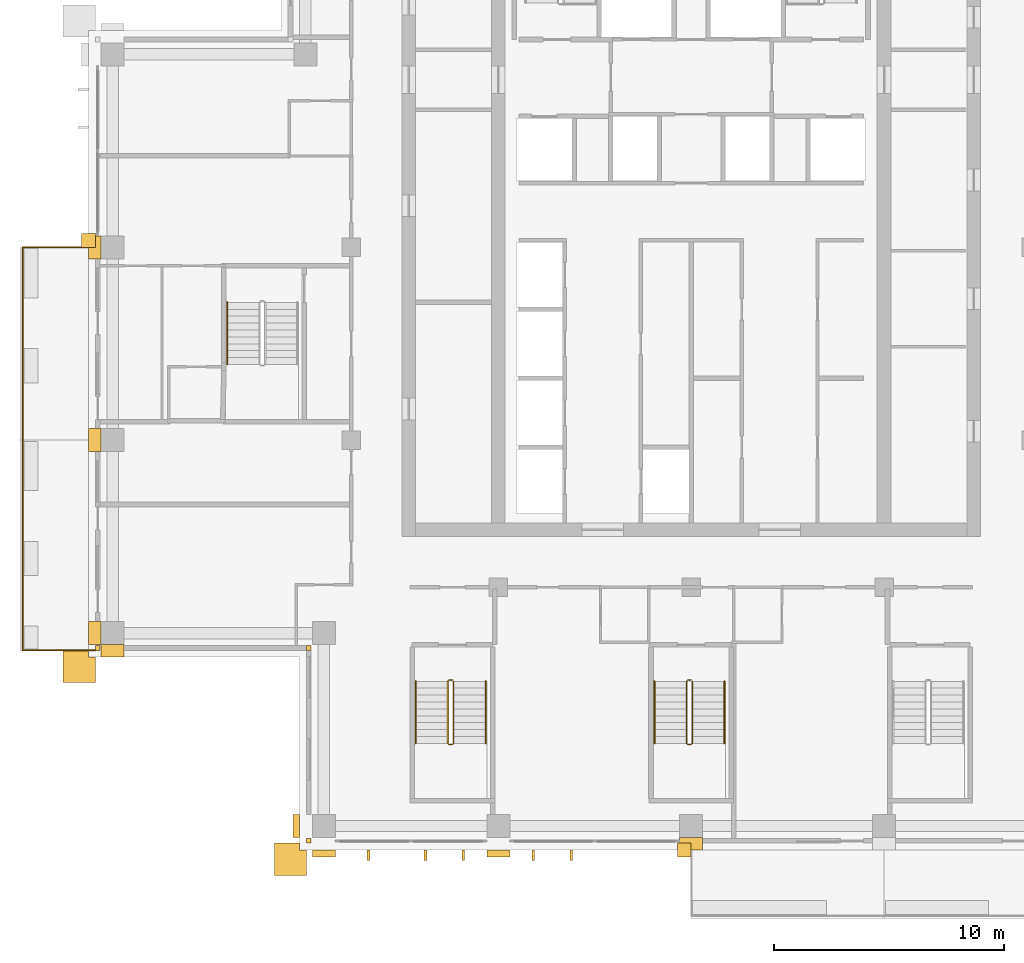
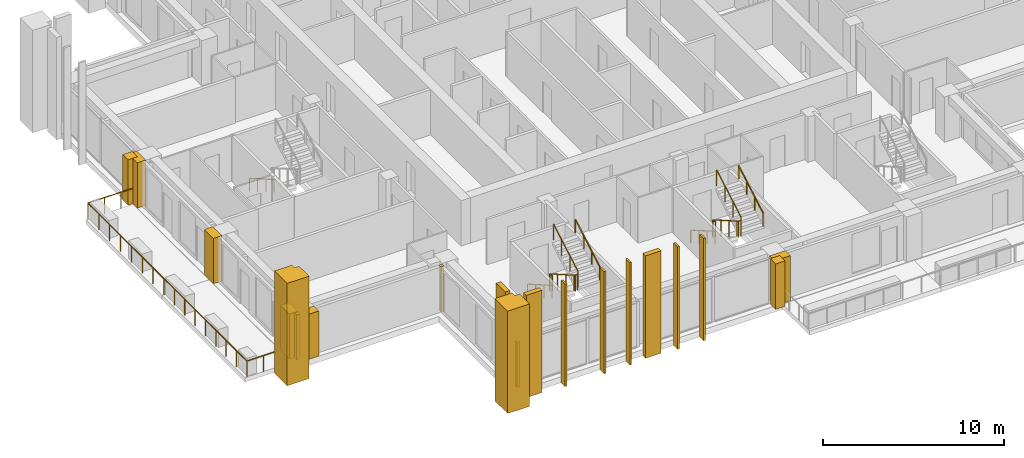
# One storey, part 15 of 18: 20 coverings, 9 railings.
"""IFC4 building model written with IfcOpenShell, lengths in metres."""

from ifc_helpers import new_model, si_unit, direction, frame, origin, origin_2d, place, context, subcontext, project, spatial, polyline, rectangle, outline, extrude, material, layer, layer_set, type_object, element, save


model = new_model("IFC4")

# Units and contexts
model_context = context("Model", 3, precision=1e-05, world=origin(), true_north=direction((0.0, 1.0)))
body_context = subcontext(model_context, "Body", "Model", "MODEL_VIEW")
ifc_project = project(units=[si_unit("LENGTHUNIT", "METRE"), si_unit("AREAUNIT", "SQUARE_METRE"), si_unit("VOLUMEUNIT", "CUBIC_METRE"), si_unit("PLANEANGLEUNIT", "RADIAN"), si_unit("MASSUNIT", "GRAM", prefix="KILO")], contexts=[model_context])

# Site, building, storey
site_placement = place(None, origin())
site = spatial("IfcSite", under=ifc_project, at=site_placement, CompositionType="ELEMENT")
building_placement = place(site_placement, origin())
building = spatial("IfcBuilding", under=site, at=building_placement, Name="Vermilion Ogive Tower", CompositionType="ELEMENT")
storey_placement = place(building_placement, frame((0.0, 0.0, 199.699951171875)))
storey = spatial("IfcBuildingStorey", under=building, at=storey_placement, Name="L52", CompositionType="ELEMENT", Elevation=199.699951171875)

# Railings
ifc_material_1 = material(Name="Stainless steel and glass", Category="steel")
railing_type_1 = type_object("IfcRailingType", Name="Balcony guard", PredefinedType="GUARDRAIL", material=ifc_material_1)
railing_1_placement = place(storey_placement, frame((-25.949951171875, 4.199951171875, -0.0400390625)))
element("IfcRailing", 1, at=railing_1_placement, inside=storey, type_object=railing_type_1, Name="Guard W02", PredefinedType="GUARDRAIL", context=body_context, shape_type="SweptSolid", body=[
    extrude(rectangle(XDim=0.048095703125, YDim=0.048095703125, at=origin_2d()), frame((0.0, 0.0, 1.076171875), z_axis=(-1.0, 0.0, 0.0), x_axis=(0.0, -1.0, 0.0)), (0.0, 0.0, 1.0), 3.16015625),
    extrude(rectangle(XDim=0.048095703125, YDim=0.048095703125, at=origin_2d()), frame((-3.16015625, 0.0, 1.076171875), z_axis=(0.0, -1.0, 0.0), x_axis=(1.0, 0.0, 0.0)), (0.0, 0.0, 1.0), 8.39990234375),
    extrude(rectangle(XDim=0.0419921875, YDim=0.0419921875, at=origin_2d()), origin(), (0.0, 0.0, 1.0), 1.052001953125),
    extrude(rectangle(XDim=0.0419921875, YDim=0.0419921875, at=origin_2d()), frame((-1.053466796875, 0.0, 0.0)), (0.0, 0.0, 1.0), 1.052001953125),
    extrude(rectangle(XDim=0.0419921875, YDim=0.0419921875, at=origin_2d()), frame((-2.106689453125, 0.0, 0.0)), (0.0, 0.0, 1.0), 1.052001953125),
    extrude(rectangle(XDim=0.0419921875, YDim=0.0419921875, at=origin_2d()), frame((-3.16015625, 0.0, 0.0)), (0.0, 0.0, 1.0), 1.052001953125),
    extrude(rectangle(XDim=0.0419921875, YDim=0.0419921875, at=origin_2d()), frame((-3.16015625, -1.199951171875, 0.0)), (0.0, 0.0, 1.0), 1.052001953125),
    extrude(rectangle(XDim=0.0419921875, YDim=0.0419921875, at=origin_2d()), frame((-3.16015625, -2.39990234375, 0.0)), (0.0, 0.0, 1.0), 1.052001953125),
    extrude(rectangle(XDim=0.0419921875, YDim=0.0419921875, at=origin_2d()), frame((-3.16015625, -3.599853515625, 0.0)), (0.0, 0.0, 1.0), 1.052001953125),
    extrude(rectangle(XDim=0.0419921875, YDim=0.0419921875, at=origin_2d()), frame((-3.16015625, -4.800048828125, 0.0)), (0.0, 0.0, 1.0), 1.052001953125),
    extrude(rectangle(XDim=0.0419921875, YDim=0.0419921875, at=origin_2d()), frame((-3.16015625, -6.0, 0.0)), (0.0, 0.0, 1.0), 1.052001953125),
    extrude(rectangle(XDim=0.0419921875, YDim=0.0419921875, at=origin_2d()), frame((-3.16015625, -7.199951171875, 0.0)), (0.0, 0.0, 1.0), 1.052001953125),
    extrude(rectangle(XDim=0.0419921875, YDim=0.0419921875, at=origin_2d()), frame((-3.16015625, -8.39990234375, 0.0)), (0.0, 0.0, 1.0), 1.052001953125),
])
railing_2_placement = place(storey_placement, frame((-29.110107421875, -4.199951171875, -0.0400390625)))
element("IfcRailing", 2, at=railing_2_placement, inside=storey, type_object=railing_type_1, Name="Guard W03", PredefinedType="GUARDRAIL", context=body_context, shape_type="SweptSolid", body=[
    extrude(rectangle(XDim=0.048095703125, YDim=0.048095703125, at=origin_2d()), frame((0.0, 0.0, 1.076171875), z_axis=(0.0, -1.0, 0.0), x_axis=(1.0, 0.0, 0.0)), (0.0, 0.0, 1.0), 9.150146484375),
    extrude(rectangle(XDim=0.048095703125, YDim=0.048095703125, at=origin_2d()), frame((0.0, -9.150146484375, 1.076171875), z_axis=(1.0, 0.0, 0.0), x_axis=(0.0, 1.0, 0.0)), (0.0, 0.0, 1.0), 3.16015625),
    extrude(rectangle(XDim=0.0419921875, YDim=0.0419921875, at=origin_2d()), origin(), (0.0, 0.0, 1.0), 1.052001953125),
    extrude(rectangle(XDim=0.0419921875, YDim=0.0419921875, at=origin_2d()), frame((0.0, -1.143798828125, 0.0)), (0.0, 0.0, 1.0), 1.052001953125),
    extrude(rectangle(XDim=0.0419921875, YDim=0.0419921875, at=origin_2d()), frame((0.0, -2.28759765625, 0.0)), (0.0, 0.0, 1.0), 1.052001953125),
    extrude(rectangle(XDim=0.0419921875, YDim=0.0419921875, at=origin_2d()), frame((0.0, -3.431396484375, 0.0)), (0.0, 0.0, 1.0), 1.052001953125),
    extrude(rectangle(XDim=0.0419921875, YDim=0.0419921875, at=origin_2d()), frame((0.0, -4.5751953125, 0.0)), (0.0, 0.0, 1.0), 1.052001953125),
    extrude(rectangle(XDim=0.0419921875, YDim=0.0419921875, at=origin_2d()), frame((0.0, -5.71875, 0.0)), (0.0, 0.0, 1.0), 1.052001953125),
    extrude(rectangle(XDim=0.0419921875, YDim=0.0419921875, at=origin_2d()), frame((0.0, -6.862548828125, 0.0)), (0.0, 0.0, 1.0), 1.052001953125),
    extrude(rectangle(XDim=0.0419921875, YDim=0.0419921875, at=origin_2d()), frame((0.0, -8.00634765625, 0.0)), (0.0, 0.0, 1.0), 1.052001953125),
    extrude(rectangle(XDim=0.0419921875, YDim=0.0419921875, at=origin_2d()), frame((0.0, -9.150146484375, 0.0)), (0.0, 0.0, 1.0), 1.052001953125),
    extrude(rectangle(XDim=0.0419921875, YDim=0.0419921875, at=origin_2d()), frame((1.053466796875, -9.150146484375, 0.0)), (0.0, 0.0, 1.0), 1.052001953125),
    extrude(rectangle(XDim=0.0419921875, YDim=0.0419921875, at=origin_2d()), frame((2.106689453125, -9.150146484375, 0.0)), (0.0, 0.0, 1.0), 1.052001953125),
    extrude(rectangle(XDim=0.0419921875, YDim=0.0419921875, at=origin_2d()), frame((3.16015625, -9.150146484375, 0.0)), (0.0, 0.0, 1.0), 1.052001953125),
])

# Coverings
ifc_material_2 = material(Name="Glazed ceramic screen")
ifc_layer = layer(ifc_material_2, 0.14990234375)
ifc_layer_set = layer_set([ifc_layer], Name="Ceramic solar screen fin")
covering_type_1 = type_object("IfcCoveringType", Name="Ceramic solar screen fin", PredefinedType="CLADDING", material=ifc_layer_set)
covering_1_placement = place(storey_placement, frame((0.0, 0.0, -0.39990234375)))
element("IfcCovering", 3, at=covering_1_placement, inside=storey, type_object=covering_type_1, Name="Solar screen blade S961", PredefinedType="CLADDING", context=body_context, shape_type="SweptSolid", body=[
    extrude(outline(polyline([(-14.110107421875, -22.5), (-13.989990234375, -22.5), (-13.989990234375, -22.050048828125), (-14.110107421875, -22.050048828125), (-14.110107421875, -22.5)])), origin(), (0.0, 0.0, 1.0), 6.89990234375),
])
covering_2_placement = place(storey_placement, frame((0.0, 0.0, -0.39990234375)))
element("IfcCovering", 4, at=covering_2_placement, inside=storey, type_object=covering_type_1, Name="Solar screen blade S971", PredefinedType="CLADDING", context=body_context, shape_type="SweptSolid", body=[
    extrude(outline(polyline([(-11.635009765625, -22.5), (-11.514892578125, -22.5), (-11.514892578125, -22.050048828125), (-11.635009765625, -22.050048828125), (-11.635009765625, -22.5)])), origin(), (0.0, 0.0, 1.0), 6.89990234375),
])
covering_3_placement = place(storey_placement, frame((0.0, 0.0, -0.39990234375)))
element("IfcCovering", 5, at=covering_3_placement, inside=storey, type_object=covering_type_1, Name="Solar screen blade S972", PredefinedType="CLADDING", context=body_context, shape_type="SweptSolid", body=[
    extrude(outline(polyline([(-9.985107421875, -22.5), (-9.864990234375, -22.5), (-9.864990234375, -22.050048828125), (-9.985107421875, -22.050048828125), (-9.985107421875, -22.5)])), origin(), (0.0, 0.0, 1.0), 6.89990234375),
])
covering_4_placement = place(storey_placement, frame((0.0, 0.0, -0.39990234375)))
element("IfcCovering", 6, at=covering_4_placement, inside=storey, type_object=covering_type_1, Name="Solar screen blade S981", PredefinedType="CLADDING", context=body_context, shape_type="SweptSolid", body=[
    extrude(outline(polyline([(-6.93505859375, -22.5), (-6.81494140625, -22.5), (-6.81494140625, -22.050048828125), (-6.93505859375, -22.050048828125), (-6.93505859375, -22.5)])), origin(), (0.0, 0.0, 1.0), 6.89990234375),
])
covering_5_placement = place(storey_placement, frame((0.0, 0.0, -0.39990234375)))
element("IfcCovering", 7, at=covering_5_placement, inside=storey, type_object=covering_type_1, Name="Solar screen blade S982", PredefinedType="CLADDING", context=body_context, shape_type="SweptSolid", body=[
    extrude(outline(polyline([(-5.284912109375, -22.5), (-5.1650390625, -22.5), (-5.1650390625, -22.050048828125), (-5.284912109375, -22.050048828125), (-5.284912109375, -22.5)])), origin(), (0.0, 0.0, 1.0), 6.89990234375),
])

# Railings
ifc_material_3 = material(Name="Steel S355 painted", Category="steel")
railing_type_2 = type_object("IfcRailingType", Name="Stair guard 1100", PredefinedType="GUARDRAIL", material=ifc_material_3)
railing_3_placement = place(storey_placement, frame((-10.39990234375, -14.64990234375, 0.0)))
element("IfcRailing", 8, at=railing_3_placement, inside=storey, type_object=railing_type_2, Name="L52 ST3 stair guard 4", PredefinedType="GUARDRAIL", context=body_context, shape_type="SweptSolid", body=[
    extrude(rectangle(XDim=0.048095703125, YDim=0.048095703125, at=origin_2d()), frame((0.0, 0.0, 1.076171875), z_axis=(-1.0, 0.0, 0.0), x_axis=(0.0, -1.0, 0.0)), (0.0, 0.0, 1.0), 0.150146484375),
    extrude(rectangle(XDim=0.048095703125, YDim=0.048095703125, at=origin_2d()), frame((-0.150146484375, 0.0, 1.076171875), z_axis=(-0.268277960024, -0.268277960024, 0.925231793839), x_axis=(0.707106781187, -0.707106781187, 0.0)), (0.0, 0.0, 1.0), 0.1865234375),
    extrude(rectangle(XDim=0.048095703125, YDim=0.048095703125, at=origin_2d()), frame((-0.2001953125, -0.050048828125, 1.24853515625), z_axis=(0.0, -0.866903762492, 0.498475542607), x_axis=(1.0, 0.0, 0.0)), (0.0, 0.0, 1.0), 3.114501953125),
    extrude(rectangle(XDim=0.048095703125, YDim=0.048095703125, at=origin_2d()), frame((-0.2001953125, -2.75, 2.80126953125), z_axis=(0.707106781187, -0.707106781187, 0.0), x_axis=(0.707106781187, 0.707106781187, 0.0)), (0.0, 0.0, 1.0), 0.07080078125),
    extrude(rectangle(XDim=0.048095703125, YDim=0.048095703125, at=origin_2d()), frame((-0.150146484375, -2.800048828125, 2.80126953125), z_axis=(1.0, 0.0, 0.0), x_axis=(0.0, 1.0, 0.0)), (0.0, 0.0, 1.0), 0.150146484375),
    extrude(rectangle(XDim=0.048095703125, YDim=0.048095703125, at=origin_2d()), frame((0.0, -2.800048828125, 2.80126953125), z_axis=(0.267386790225, 0.268697509785, 0.925368009307), x_axis=(-0.708833529934, 0.705375805398, 0.0)), (0.0, 0.0, 1.0), 0.186279296875),
    extrude(rectangle(XDim=0.048095703125, YDim=0.048095703125, at=origin_2d()), frame((0.0498046875, -2.75, 2.9736328125), z_axis=(0.0, 0.866903762492, 0.498475542607), x_axis=(-1.0, 0.0, 0.0)), (0.0, 0.0, 1.0), 3.114501953125),
    extrude(rectangle(XDim=0.0419921875, YDim=0.0419921875, at=origin_2d()), origin(), (0.0, 0.0, 1.0), 1.052001953125),
    extrude(rectangle(XDim=0.0419921875, YDim=0.0419921875, at=origin_2d()), frame((-0.150146484375, 0.0, 0.0)), (0.0, 0.0, 1.0), 1.052001953125),
    extrude(rectangle(XDim=0.0419921875, YDim=0.0419921875, at=origin_2d()), frame((-0.2001953125, -0.050048828125, 0.172607421875)), (0.0, 0.0, 1.0), 1.052001953125),
    extrude(rectangle(XDim=0.0419921875, YDim=0.0419921875, at=origin_2d()), frame((-0.2001953125, -0.949951171875, 0.690185546875)), (0.0, 0.0, 1.0), 1.052001953125),
    extrude(rectangle(XDim=0.0419921875, YDim=0.0419921875, at=origin_2d()), frame((-0.2001953125, -1.85009765625, 1.20751953125)), (0.0, 0.0, 1.0), 1.052001953125),
    extrude(rectangle(XDim=0.0419921875, YDim=0.0419921875, at=origin_2d()), frame((-0.2001953125, -2.75, 1.72509765625)), (0.0, 0.0, 1.0), 1.052001953125),
    extrude(rectangle(XDim=0.0419921875, YDim=0.0419921875, at=origin_2d()), frame((-0.150146484375, -2.800048828125, 1.72509765625)), (0.0, 0.0, 1.0), 1.052001953125),
    extrude(rectangle(XDim=0.0419921875, YDim=0.0419921875, at=origin_2d()), frame((0.0, -2.800048828125, 1.72509765625)), (0.0, 0.0, 1.0), 1.052001953125),
    extrude(rectangle(XDim=0.0419921875, YDim=0.0419921875, at=origin_2d()), frame((0.0498046875, -2.75, 1.8974609375)), (0.0, 0.0, 1.0), 1.052001953125),
    extrude(rectangle(XDim=0.0419921875, YDim=0.0419921875, at=origin_2d()), frame((0.0498046875, -1.85009765625, 2.4150390625)), (0.0, 0.0, 1.0), 1.052001953125),
    extrude(rectangle(XDim=0.0419921875, YDim=0.0419921875, at=origin_2d()), frame((0.0498046875, -0.949951171875, 2.932373046875)), (0.0, 0.0, 1.0), 1.052001953125),
    extrude(rectangle(XDim=0.0419921875, YDim=0.0419921875, at=origin_2d()), frame((0.0498046875, -0.050048828125, 3.449951171875)), (0.0, 0.0, 1.0), 1.052001953125),
])
railing_4_placement = place(storey_placement, frame((0.0, -14.64990234375, 0.0)))
element("IfcRailing", 9, at=railing_4_placement, inside=storey, type_object=railing_type_2, Name="L52 ST4 stair guard 4", PredefinedType="GUARDRAIL", context=body_context, shape_type="SweptSolid", body=[
    extrude(rectangle(XDim=0.048095703125, YDim=0.048095703125, at=origin_2d()), frame((0.0, 0.0, 1.076171875), z_axis=(-1.0, 0.0, 0.0), x_axis=(0.0, -1.0, 0.0)), (0.0, 0.0, 1.0), 0.14990234375),
    extrude(rectangle(XDim=0.048095703125, YDim=0.048095703125, at=origin_2d()), frame((-0.14990234375, 0.0, 1.076171875), z_axis=(-0.268277960024, -0.268277960024, 0.925231793839), x_axis=(0.707106781187, -0.707106781187, 0.0)), (0.0, 0.0, 1.0), 0.1865234375),
    extrude(rectangle(XDim=0.048095703125, YDim=0.048095703125, at=origin_2d()), frame((-0.199951171875, -0.050048828125, 1.24853515625), z_axis=(0.0, -0.866903762492, 0.498475542607), x_axis=(1.0, 0.0, 0.0)), (0.0, 0.0, 1.0), 3.114501953125),
    extrude(rectangle(XDim=0.048095703125, YDim=0.048095703125, at=origin_2d()), frame((-0.199951171875, -2.75, 2.80126953125), z_axis=(0.707106781187, -0.707106781187, 0.0), x_axis=(0.707106781187, 0.707106781187, 0.0)), (0.0, 0.0, 1.0), 0.07080078125),
    extrude(rectangle(XDim=0.048095703125, YDim=0.048095703125, at=origin_2d()), frame((-0.14990234375, -2.800048828125, 2.80126953125), z_axis=(1.0, 0.0, 0.0), x_axis=(0.0, 1.0, 0.0)), (0.0, 0.0, 1.0), 0.14990234375),
    extrude(rectangle(XDim=0.048095703125, YDim=0.048095703125, at=origin_2d()), frame((0.0, -2.800048828125, 2.80126953125), z_axis=(0.268603158521, 0.268603158521, 0.925043072762), x_axis=(-0.707106781187, 0.707106781187, 0.0)), (0.0, 0.0, 1.0), 0.186279296875),
    extrude(rectangle(XDim=0.048095703125, YDim=0.048095703125, at=origin_2d()), frame((0.050048828125, -2.75, 2.9736328125), z_axis=(0.0, 0.866903762492, 0.498475542607), x_axis=(-1.0, 0.0, 0.0)), (0.0, 0.0, 1.0), 3.114501953125),
    extrude(rectangle(XDim=0.0419921875, YDim=0.0419921875, at=origin_2d()), origin(), (0.0, 0.0, 1.0), 1.052001953125),
    extrude(rectangle(XDim=0.0419921875, YDim=0.0419921875, at=origin_2d()), frame((-0.14990234375, 0.0, 0.0)), (0.0, 0.0, 1.0), 1.052001953125),
    extrude(rectangle(XDim=0.0419921875, YDim=0.0419921875, at=origin_2d()), frame((-0.199951171875, -0.050048828125, 0.172607421875)), (0.0, 0.0, 1.0), 1.052001953125),
    extrude(rectangle(XDim=0.0419921875, YDim=0.0419921875, at=origin_2d()), frame((-0.199951171875, -0.949951171875, 0.690185546875)), (0.0, 0.0, 1.0), 1.052001953125),
    extrude(rectangle(XDim=0.0419921875, YDim=0.0419921875, at=origin_2d()), frame((-0.199951171875, -1.85009765625, 1.20751953125)), (0.0, 0.0, 1.0), 1.052001953125),
    extrude(rectangle(XDim=0.0419921875, YDim=0.0419921875, at=origin_2d()), frame((-0.199951171875, -2.75, 1.72509765625)), (0.0, 0.0, 1.0), 1.052001953125),
    extrude(rectangle(XDim=0.0419921875, YDim=0.0419921875, at=origin_2d()), frame((-0.14990234375, -2.800048828125, 1.72509765625)), (0.0, 0.0, 1.0), 1.052001953125),
    extrude(rectangle(XDim=0.0419921875, YDim=0.0419921875, at=origin_2d()), frame((0.0, -2.800048828125, 1.72509765625)), (0.0, 0.0, 1.0), 1.052001953125),
    extrude(rectangle(XDim=0.0419921875, YDim=0.0419921875, at=origin_2d()), frame((0.050048828125, -2.75, 1.8974609375)), (0.0, 0.0, 1.0), 1.052001953125),
    extrude(rectangle(XDim=0.0419921875, YDim=0.0419921875, at=origin_2d()), frame((0.050048828125, -1.85009765625, 2.4150390625)), (0.0, 0.0, 1.0), 1.052001953125),
    extrude(rectangle(XDim=0.0419921875, YDim=0.0419921875, at=origin_2d()), frame((0.050048828125, -0.949951171875, 2.932373046875)), (0.0, 0.0, 1.0), 1.052001953125),
    extrude(rectangle(XDim=0.0419921875, YDim=0.0419921875, at=origin_2d()), frame((0.050048828125, -0.050048828125, 3.449951171875)), (0.0, 0.0, 1.0), 1.052001953125),
])
ifc_material_4 = material(Name="Stainless steel", Category="steel")
railing_type_3 = type_object("IfcRailingType", Name="Stair handrail 900", PredefinedType="HANDRAIL", material=ifc_material_4)
railing_5_placement = place(storey_placement, frame((-12.0, -14.699951171875, 0.172607421875)))
element("IfcRailing", 10, at=railing_5_placement, inside=storey, type_object=railing_type_3, Name="L52 ST3 stair handrail 1", PredefinedType="HANDRAIL", context=body_context, shape_type="SweptSolid", body=[
    extrude(rectangle(XDim=0.048095703125, YDim=0.048095703125, at=origin_2d()), frame((0.0, 0.0, 0.8759765625), z_axis=(0.0, -0.866903762492, 0.498475542607), x_axis=(1.0, 0.0, 0.0)), (0.0, 0.0, 1.0), 3.114501953125),
    extrude(rectangle(XDim=0.0419921875, YDim=0.0419921875, at=origin_2d()), origin(), (0.0, 0.0, 1.0), 0.851806640625),
    extrude(rectangle(XDim=0.0419921875, YDim=0.0419921875, at=origin_2d()), frame((0.0, -0.89990234375, 0.517578125)), (0.0, 0.0, 1.0), 0.851806640625),
    extrude(rectangle(XDim=0.0419921875, YDim=0.0419921875, at=origin_2d()), frame((0.0, -1.800048828125, 1.034912109375)), (0.0, 0.0, 1.0), 0.851806640625),
    extrude(rectangle(XDim=0.0419921875, YDim=0.0419921875, at=origin_2d()), frame((0.0, -2.699951171875, 1.552490234375)), (0.0, 0.0, 1.0), 0.851806640625),
])
railing_6_placement = place(storey_placement, frame((-8.949951171875, -17.39990234375, 1.8974609375)))
element("IfcRailing", 11, at=railing_6_placement, inside=storey, type_object=railing_type_3, Name="L52 ST3 stair handrail 2", PredefinedType="HANDRAIL", context=body_context, shape_type="SweptSolid", body=[
    extrude(rectangle(XDim=0.048095703125, YDim=0.048095703125, at=origin_2d()), frame((0.0, 0.0, 0.8759765625), z_axis=(0.0, 0.866903762492, 0.498475542607), x_axis=(-1.0, 0.0, 0.0)), (0.0, 0.0, 1.0), 3.114501953125),
    extrude(rectangle(XDim=0.0419921875, YDim=0.0419921875, at=origin_2d()), origin(), (0.0, 0.0, 1.0), 0.851806640625),
    extrude(rectangle(XDim=0.0419921875, YDim=0.0419921875, at=origin_2d()), frame((0.0, 0.89990234375, 0.517578125)), (0.0, 0.0, 1.0), 0.851806640625),
    extrude(rectangle(XDim=0.0419921875, YDim=0.0419921875, at=origin_2d()), frame((0.0, 1.800048828125, 1.034912109375)), (0.0, 0.0, 1.0), 0.851806640625),
    extrude(rectangle(XDim=0.0419921875, YDim=0.0419921875, at=origin_2d()), frame((0.0, 2.699951171875, 1.552490234375)), (0.0, 0.0, 1.0), 0.851806640625),
])
railing_7_placement = place(storey_placement, frame((-1.60009765625, -14.699951171875, 0.172607421875)))
element("IfcRailing", 12, at=railing_7_placement, inside=storey, type_object=railing_type_3, Name="L52 ST4 stair handrail 1", PredefinedType="HANDRAIL", context=body_context, shape_type="SweptSolid", body=[
    extrude(rectangle(XDim=0.048095703125, YDim=0.048095703125, at=origin_2d()), frame((0.0, 0.0, 0.8759765625), z_axis=(0.0, -0.866903762492, 0.498475542607), x_axis=(1.0, 0.0, 0.0)), (0.0, 0.0, 1.0), 3.114501953125),
    extrude(rectangle(XDim=0.0419921875, YDim=0.0419921875, at=origin_2d()), origin(), (0.0, 0.0, 1.0), 0.851806640625),
    extrude(rectangle(XDim=0.0419921875, YDim=0.0419921875, at=origin_2d()), frame((0.0, -0.89990234375, 0.517578125)), (0.0, 0.0, 1.0), 0.851806640625),
    extrude(rectangle(XDim=0.0419921875, YDim=0.0419921875, at=origin_2d()), frame((0.0, -1.800048828125, 1.034912109375)), (0.0, 0.0, 1.0), 0.851806640625),
    extrude(rectangle(XDim=0.0419921875, YDim=0.0419921875, at=origin_2d()), frame((0.0, -2.699951171875, 1.552490234375)), (0.0, 0.0, 1.0), 0.851806640625),
])
railing_8_placement = place(storey_placement, frame((1.449951171875, -17.39990234375, 1.8974609375)))
element("IfcRailing", 13, at=railing_8_placement, inside=storey, type_object=railing_type_3, Name="L52 ST4 stair handrail 2", PredefinedType="HANDRAIL", context=body_context, shape_type="SweptSolid", body=[
    extrude(rectangle(XDim=0.048095703125, YDim=0.048095703125, at=origin_2d()), frame((0.0, 0.0, 0.8759765625), z_axis=(0.0, 0.866903762492, 0.498475542607), x_axis=(-1.0, 0.0, 0.0)), (0.0, 0.0, 1.0), 3.114501953125),
    extrude(rectangle(XDim=0.0419921875, YDim=0.0419921875, at=origin_2d()), origin(), (0.0, 0.0, 1.0), 0.851806640625),
    extrude(rectangle(XDim=0.0419921875, YDim=0.0419921875, at=origin_2d()), frame((0.0, 0.89990234375, 0.517578125)), (0.0, 0.0, 1.0), 0.851806640625),
    extrude(rectangle(XDim=0.0419921875, YDim=0.0419921875, at=origin_2d()), frame((0.0, 1.800048828125, 1.034912109375)), (0.0, 0.0, 1.0), 0.851806640625),
    extrude(rectangle(XDim=0.0419921875, YDim=0.0419921875, at=origin_2d()), frame((0.0, 2.699951171875, 1.552490234375)), (0.0, 0.0, 1.0), 0.851806640625),
])
railing_9_placement = place(storey_placement, frame((-20.199951171875, 1.800048828125, 0.172607421875)))
element("IfcRailing", 14, at=railing_9_placement, inside=storey, type_object=railing_type_3, Name="L52 ST9 stair handrail 1", PredefinedType="HANDRAIL", context=body_context, shape_type="SweptSolid", body=[
    extrude(rectangle(XDim=0.048095703125, YDim=0.048095703125, at=origin_2d()), frame((0.0, 0.0, 0.8759765625), z_axis=(0.0, -0.866903762492, 0.498475542607), x_axis=(1.0, 0.0, 0.0)), (0.0, 0.0, 1.0), 3.114501953125),
    extrude(rectangle(XDim=0.0419921875, YDim=0.0419921875, at=origin_2d()), origin(), (0.0, 0.0, 1.0), 0.851806640625),
    extrude(rectangle(XDim=0.0419921875, YDim=0.0419921875, at=origin_2d()), frame((0.0, -0.89990234375, 0.517578125)), (0.0, 0.0, 1.0), 0.851806640625),
    extrude(rectangle(XDim=0.0419921875, YDim=0.0419921875, at=origin_2d()), frame((0.0, -1.800048828125, 1.034912109375)), (0.0, 0.0, 1.0), 0.851806640625),
    extrude(rectangle(XDim=0.0419921875, YDim=0.0419921875, at=origin_2d()), frame((0.0, -2.699951171875, 1.552490234375)), (0.0, 0.0, 1.0), 0.851806640625),
])

# Coverings
ifc_material_5 = material(Name="Stone cladding", Category="masonry")
covering_type_2 = type_object("IfcCoveringType", Name="Stone corner buttress", PredefinedType="CLADDING", material=ifc_material_5)
covering_6_placement = place(storey_placement, origin())
element("IfcCovering", 15, at=covering_6_placement, inside=storey, type_object=covering_type_2, Name="Stone crease pier SK", PredefinedType="CLADDING", context=body_context, shape_type="SweptSolid", body=[
    extrude(outline(polyline([(-0.60009765625, -22.35009765625), (0.0, -22.35009765625), (0.0, -21.75), (-0.60009765625, -21.75), (-0.60009765625, -22.35009765625)])), origin(), (0.0, 0.0, 1.0), 3.050048828125),
])
covering_7_placement = place(storey_placement, origin())
element("IfcCovering", 16, at=covering_7_placement, inside=storey, type_object=covering_type_2, Name="Stone crease pier WK", PredefinedType="CLADDING", context=body_context, shape_type="SweptSolid", body=[
    extrude(outline(polyline([(-26.550048828125, 4.800048828125), (-26.550048828125, 4.199951171875), (-25.949951171875, 4.199951171875), (-25.949951171875, 4.800048828125), (-26.550048828125, 4.800048828125)])), origin(), (0.0, 0.0, 1.0), 3.050048828125),
])
covering_8_placement = place(storey_placement, frame((0.0, 0.0, -0.39990234375)))
element("IfcCovering", 17, at=covering_8_placement, inside=storey, type_object=covering_type_2, Name="Stone corner buttress S1", PredefinedType="CLADDING", context=body_context, shape_type="SweptSolid", body=[
    extrude(outline(polyline([(-17.050048828125, -21.75), (-17.050048828125, -22.050048828125), (-16.75, -22.050048828125), (-16.75, -23.14990234375), (-18.14990234375, -23.14990234375), (-18.14990234375, -21.75), (-17.050048828125, -21.75)])), origin(), (0.0, 0.0, 1.0), 6.89990234375),
])
covering_9_placement = place(storey_placement, frame((0.0, 0.0, -0.39990234375)))
element("IfcCovering", 18, at=covering_9_placement, inside=storey, type_object=covering_type_2, Name="Stone corner buttress X71", PredefinedType="CLADDING", context=body_context, shape_type="SweptSolid", body=[
    extrude(outline(polyline([(-27.35009765625, -13.35009765625), (-26.25, -13.35009765625), (-26.25, -13.64990234375), (-25.949951171875, -13.64990234375), (-25.949951171875, -14.75), (-27.35009765625, -14.75), (-27.35009765625, -13.35009765625)])), origin(), (0.0, 0.0, 1.0), 6.89990234375),
])
ifc_material_6 = material(Name="Stone cladding", Category="masonry")
covering_type_3 = type_object("IfcCoveringType", Name="Stone pier", PredefinedType="CLADDING", material=ifc_material_6)
covering_10_placement = place(storey_placement, origin())
element("IfcCovering", 19, at=covering_10_placement, inside=storey, type_object=covering_type_3, Name="Stone corner pier WE1", PredefinedType="CLADDING", context=body_context, shape_type="SweptSolid", body=[
    extrude(outline(polyline([(-25.75, -13.14990234375), (-25.75, -13.35009765625), (-25.949951171875, -13.35009765625), (-25.949951171875, -13.14990234375), (-25.75, -13.14990234375)])), origin(), (0.0, 0.0, 1.0), 3.050048828125),
])
covering_11_placement = place(storey_placement, origin())
element("IfcCovering", 20, at=covering_11_placement, inside=storey, type_object=covering_type_3, Name="Stone corner pier X7E1", PredefinedType="CLADDING", context=body_context, shape_type="SweptSolid", body=[
    extrude(outline(polyline([(-16.550048828125, -13.14990234375), (-16.550048828125, -13.35009765625), (-16.75, -13.35009765625), (-16.75, -13.14990234375), (-16.550048828125, -13.14990234375)])), origin(), (0.0, 0.0, 1.0), 3.050048828125),
])
covering_12_placement = place(storey_placement, origin())
element("IfcCovering", 21, at=covering_12_placement, inside=storey, type_object=covering_type_3, Name="Stone corner pier X8E1", PredefinedType="CLADDING", context=body_context, shape_type="SweptSolid", body=[
    extrude(outline(polyline([(-16.550048828125, -21.550048828125), (-16.550048828125, -21.75), (-16.75, -21.75), (-16.75, -21.550048828125), (-16.550048828125, -21.550048828125)])), origin(), (0.0, 0.0, 1.0), 3.050048828125),
])
covering_13_placement = place(storey_placement, frame((0.0, 0.0, -0.39990234375)))
element("IfcCovering", 22, at=covering_13_placement, inside=storey, type_object=covering_type_3, Name="Stone pier P-0084-210", PredefinedType="CLADDING", context=body_context, shape_type="SweptSolid", body=[
    extrude(outline(polyline([(-7.89990234375, -22.35009765625), (-8.89990234375, -22.35009765625), (-8.89990234375, -22.050048828125), (-7.89990234375, -22.050048828125), (-7.89990234375, -22.35009765625)])), origin(), (0.0, 0.0, 1.0), 6.89990234375),
])
covering_14_placement = place(storey_placement, frame((0.0, 0.0, -0.39990234375)))
element("IfcCovering", 23, at=covering_14_placement, inside=storey, type_object=covering_type_3, Name="Stone pier P-0160-210S", PredefinedType="CLADDING", context=body_context, shape_type="SweptSolid", body=[
    extrude(outline(polyline([(-15.5, -22.35009765625), (-16.5, -22.35009765625), (-16.5, -22.050048828125), (-15.5, -22.050048828125), (-15.5, -22.35009765625)])), origin(), (0.0, 0.0, 1.0), 6.89990234375),
])
covering_15_placement = place(storey_placement, frame((0.0, 0.0, -0.39990234375)))
element("IfcCovering", 24, at=covering_15_placement, inside=storey, type_object=covering_type_3, Name="Stone pier P-0160-210X8", PredefinedType="CLADDING", context=body_context, shape_type="SweptSolid", body=[
    extrude(outline(polyline([(-17.35009765625, -20.5), (-17.050048828125, -20.5), (-17.050048828125, -21.5), (-17.35009765625, -21.5), (-17.35009765625, -20.5)])), origin(), (0.0, 0.0, 1.0), 6.89990234375),
])
covering_16_placement = place(storey_placement, origin())
element("IfcCovering", 25, at=covering_16_placement, inside=storey, type_object=covering_type_3, Name="Stone pier P+0000-210", PredefinedType="CLADDING", context=body_context, shape_type="SweptSolid", body=[
    extrude(outline(polyline([(0.5, -22.050048828125), (0.0, -22.050048828125), (0.0, -21.75), (-0.5, -21.75), (-0.5, -21.5), (0.5, -21.5), (0.5, -22.050048828125)])), origin(), (0.0, 0.0, 1.0), 3.050048828125),
])
covering_17_placement = place(storey_placement, origin())
element("IfcCovering", 26, at=covering_17_placement, inside=storey, type_object=covering_type_3, Name="Stone pier P-0252+042", PredefinedType="CLADDING", context=body_context, shape_type="SweptSolid", body=[
    extrude(outline(polyline([(-25.699951171875, 3.699951171875), (-26.25, 3.699951171875), (-26.25, 4.199951171875), (-25.949951171875, 4.199951171875), (-25.949951171875, 4.699951171875), (-25.699951171875, 4.699951171875), (-25.699951171875, 4.699951171875), (-25.699951171875, 3.699951171875)])), origin(), (0.0, 0.0, 1.0), 3.050048828125),
])
covering_18_placement = place(storey_placement, origin())
element("IfcCovering", 27, at=covering_18_placement, inside=storey, type_object=covering_type_3, Name="Stone pier P-0252-042", PredefinedType="CLADDING", context=body_context, shape_type="SweptSolid", body=[
    extrude(outline(polyline([(-25.699951171875, -4.699951171875), (-26.25, -4.699951171875), (-26.25, -3.699951171875), (-25.699951171875, -3.699951171875), (-25.699951171875, -4.699951171875), (-25.699951171875, -4.699951171875)])), origin(), (0.0, 0.0, 1.0), 3.050048828125),
])
covering_19_placement = place(storey_placement, origin())
element("IfcCovering", 28, at=covering_19_placement, inside=storey, type_object=covering_type_3, Name="Stone pier P-0252-126W", PredefinedType="CLADDING", context=body_context, shape_type="SweptSolid", body=[
    extrude(outline(polyline([(-26.25, -13.10009765625), (-26.25, -12.10009765625), (-25.699951171875, -12.10009765625), (-25.699951171875, -13.10009765625), (-26.25, -13.10009765625)])), origin(), (0.0, 0.0, 1.0), 3.050048828125),
])
covering_20_placement = place(storey_placement, origin())
element("IfcCovering", 29, at=covering_20_placement, inside=storey, type_object=covering_type_3, Name="Stone pier P-0252-126X7", PredefinedType="CLADDING", context=body_context, shape_type="SweptSolid", body=[
    extrude(outline(polyline([(-25.699951171875, -13.64990234375), (-25.699951171875, -13.10009765625), (-24.699951171875, -13.10009765625), (-24.699951171875, -13.64990234375), (-25.699951171875, -13.64990234375)])), origin(), (0.0, 0.0, 1.0), 3.050048828125),
])

save(model, "model.ifc")
